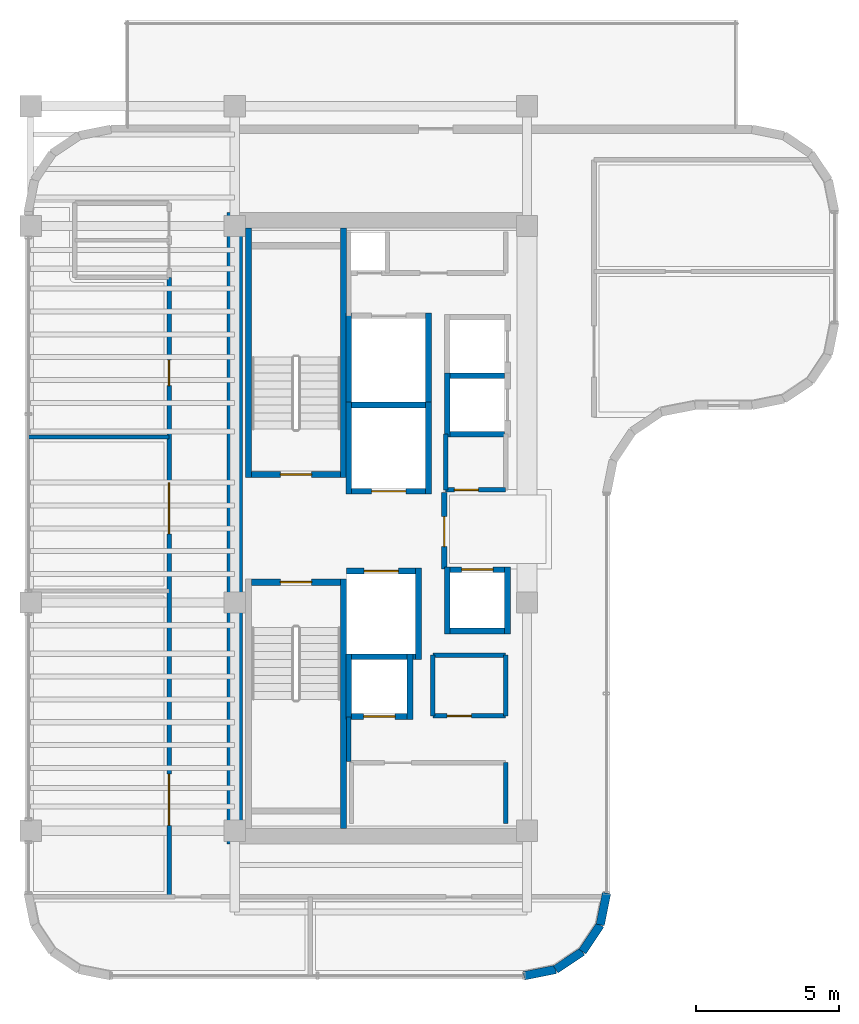
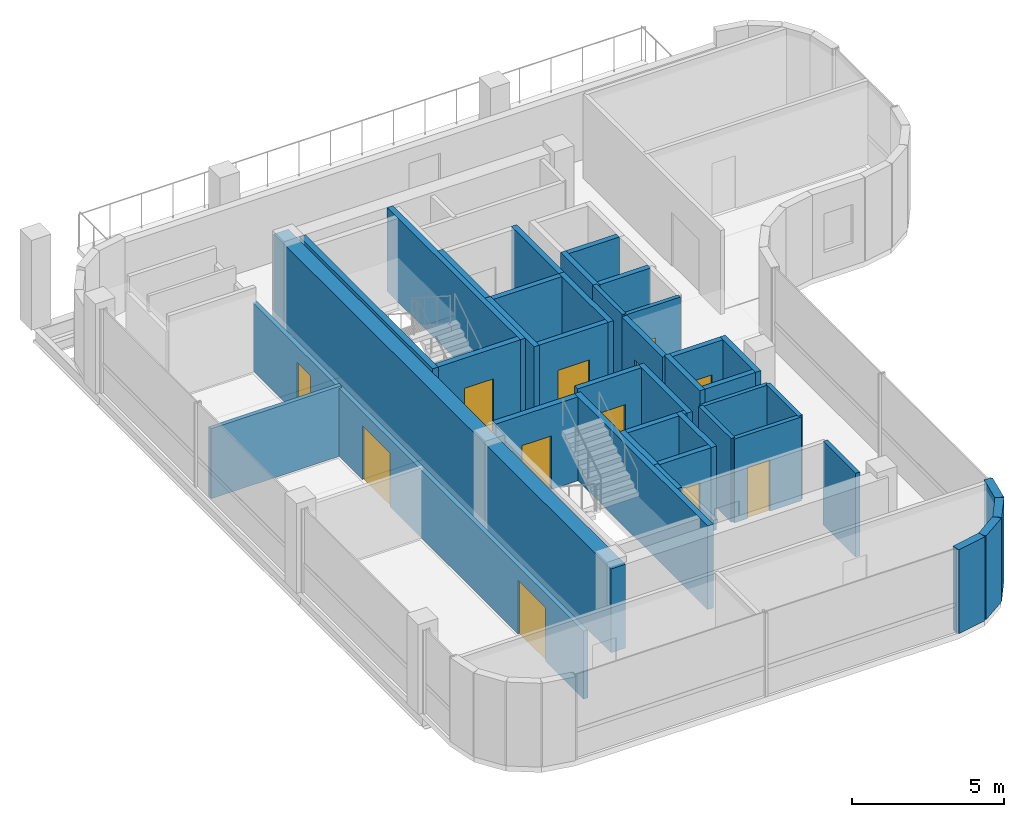
# One storey, part 9 of 13: 40 walls, 12 doors, 12 openings.
"""IFC4 building model written with IfcOpenShell, lengths in metres."""

from ifc_helpers import new_model, si_unit, direction, frame, frame_2d, origin, place, context, subcontext, project, spatial, rectangle, extrude, material, layer, layer_set, type_object, element, fill, save


model = new_model("IFC4")

# Units and contexts
model_context = context("Model", 3, precision=1e-05, world=origin(), true_north=direction((0.0, 1.0)))
body_context = subcontext(model_context, "Body", "Model", "MODEL_VIEW")
ifc_project = project(units=[si_unit("LENGTHUNIT", "METRE"), si_unit("AREAUNIT", "SQUARE_METRE"), si_unit("VOLUMEUNIT", "CUBIC_METRE"), si_unit("PLANEANGLEUNIT", "RADIAN"), si_unit("MASSUNIT", "GRAM", prefix="KILO")], contexts=[model_context])

# Site, building, storey
site_placement = place(None, origin())
site = spatial("IfcSite", under=ifc_project, at=site_placement, CompositionType="ELEMENT")
building_placement = place(site_placement, origin())
building = spatial("IfcBuilding", under=site, at=building_placement, Name="Valdorenza Pilgrim Sanctuary Tower", CompositionType="ELEMENT")
storey_placement = place(building_placement, frame((0.0, 0.0, 290.60009765625)))
storey = spatial("IfcBuildingStorey", under=building, at=storey_placement, Name="L76", CompositionType="ELEMENT", Elevation=290.60009765625)

# Walls
ifc_material_1 = material(Name="Acoustic twin-stud gypsum partition", Category="gypsum")
ifc_layer_1 = layer(ifc_material_1, 0.159912109375, Name="Acoustic twin-stud gypsum partition")
ifc_layer_set_1 = layer_set([ifc_layer_1], Name="Acoustic twin-stud gypsum partition")
wall_type_1 = type_object("IfcWallType", Name="WAL-COR-160", PredefinedType="PARTITIONING", material=ifc_layer_set_1)
wall_1_placement = place(storey_placement, frame((-18.64990234375, -8.179931640625, 0.0), z_axis=(0.0, 0.0, 1.0), x_axis=(0.0, 1.0, 0.0)))
element("IfcWall", 1, at=wall_1_placement, inside=storey, type_object=wall_type_1, Name="L76 Core A South Lift Hall West Wall", PredefinedType="PARTITIONING", context=body_context, shape_type="SweptSolid", body=[
    extrude(rectangle(XDim=1.559814453125, YDim=0.159912109375, at=frame_2d((0.77978515625, 0.0))), origin(), (0.0, 0.0, 1.0), 3.35986328125),
])
wall_2_placement = place(storey_placement, frame((-13.14990234375, -10.35009765625, 0.0), z_axis=(0.0, 0.0, 1.0), x_axis=(0.0, 1.0, 0.0)))
element("IfcWall", 2, at=wall_2_placement, inside=storey, type_object=wall_type_1, Name="L76 Freed Shaft 1 East Wall", PredefinedType="PARTITIONING", context=body_context, shape_type="SweptSolid", body=[
    extrude(rectangle(XDim=2.130126953125, YDim=0.159912109375, at=frame_2d((1.06494140625, 0.0))), origin(), (0.0, 0.0, 1.0), 3.35986328125),
])

# Wall, opening, door
wall_3_placement = place(storey_placement, frame((-15.699951171875, -6.580078125, 0.0), z_axis=(0.0, 0.0, 1.0), x_axis=(1.0, 0.0, 0.0)))
wall_3 = element("IfcWall", 3, at=wall_3_placement, inside=storey, type_object=wall_type_1, Name="L76 Freed Shaft 2 South Wall", PredefinedType="PARTITIONING", context=body_context, shape_type="SweptSolid", body=[
    extrude(rectangle(XDim=2.550048828125, YDim=0.159912109375, at=frame_2d((1.27490234375, 0.0))), origin(), (0.0, 0.0, 1.0), 3.35986328125),
])
opening_1_placement = place(wall_3_placement, frame((0.5, 0.0, 0.0)))
opening_1 = element("IfcOpeningElement", 4, at=opening_1_placement, cuts=wall_3, Name="Opening DR-RS1", PredefinedType="OPENING", context=body_context, shape_type="SweptSolid", body=[
    extrude(rectangle(XDim=0.85009765625, YDim=2.050048828125, at=frame_2d((0.425048828125, 1.02490234375))), frame((0.0, 0.0947265625, 0.0), z_axis=(0.0, -1.0, 0.0), x_axis=(1.0, 0.0, 0.0)), (0.0, 0.0, 1.0), 0.189697265625),
])
ifc_material_2 = material(Name="Painted galvanized steel", Category="steel")
door_type_1 = type_object("IfcDoorType", Name="DR-RSR-850", OperationType="NOTDEFINED", PredefinedType="DOOR", material=ifc_material_2)
door_1_placement = place(opening_1_placement, origin())
door_1 = element("IfcDoor", 5, at=door_1_placement, inside=storey, type_object=door_type_1, Name="L76 Guest Tea Pantry Door", OperationType="SINGLE_SWING_RIGHT", OverallHeight=2.050048828125, OverallWidth=0.85009765625, PredefinedType="DOOR", context=body_context, shape_type="SweptSolid", body=[
    extrude(rectangle(XDim=0.85009765625, YDim=2.050048828125, at=frame_2d((0.425048828125, 1.02490234375))), frame((0.0, 0.02490234375, 0.0), z_axis=(0.0, -1.0, 0.0), x_axis=(1.0, 0.0, 0.0)), (0.0, 0.0, 1.0), 0.050048828125),
])
fill(opening_1, door_1)

# Wall
wall_4_placement = place(storey_placement, frame((-13.14990234375, -6.580078125, 0.0), z_axis=(0.0, 0.0, 1.0), x_axis=(0.0, 1.0, 0.0)))
element("IfcWall", 6, at=wall_4_placement, inside=storey, type_object=wall_type_1, Name="L76 Freed Shaft 2 East Wall", PredefinedType="PARTITIONING", context=body_context, shape_type="SweptSolid", body=[
    extrude(rectangle(XDim=2.130126953125, YDim=0.159912109375, at=frame_2d((1.06494140625, 0.0))), origin(), (0.0, 0.0, 1.0), 3.35986328125),
])

# Wall, openings, doors
wall_5_placement = place(storey_placement, frame((-24.949951171875, -12.919921875, 0.0), z_axis=(0.0, 0.0, 1.0), x_axis=(0.0, 1.0, 0.0)))
wall_5 = element("IfcWall", 7, at=wall_5_placement, inside=storey, type_object=wall_type_1, Name="L76 Sky West Concourse Wall", PredefinedType="PARTITIONING", context=body_context, shape_type="SweptSolid", body=[
    extrude(rectangle(XDim=21.719970703125, YDim=0.159912109375, at=frame_2d((10.85986328125, 0.0))), origin(), (0.0, 0.0, 1.0), 2.722900390625),
])
opening_2_placement = place(wall_5_placement, frame((2.5, 0.0, 0.0)))
opening_2 = element("IfcOpeningElement", 8, at=opening_2_placement, cuts=wall_5, Name="Opening DR-HL1", PredefinedType="OPENING", context=body_context, shape_type="SweptSolid", body=[
    extrude(rectangle(XDim=1.800048828125, YDim=2.14990234375, at=frame_2d((0.89990234375, 1.074951171875))), frame((0.0, 0.0947265625, 0.0), z_axis=(0.0, -1.0, 0.0), x_axis=(1.0, 0.0, 0.0)), (0.0, 0.0, 1.0), 0.189697265625),
])
opening_3_placement = place(wall_5_placement, frame((12.719970703125, 0.0, 0.0)))
opening_3 = element("IfcOpeningElement", 9, at=opening_3_placement, cuts=wall_5, Name="Opening DR-HL1", PredefinedType="OPENING", context=body_context, shape_type="SweptSolid", body=[
    extrude(rectangle(XDim=1.800048828125, YDim=2.14990234375, at=frame_2d((0.89990234375, 1.074951171875))), frame((0.0, 0.0947265625, 0.0), z_axis=(0.0, -1.0, 0.0), x_axis=(1.0, 0.0, 0.0)), (0.0, 0.0, 1.0), 0.189697265625),
])
opening_4_placement = place(wall_5_placement, frame((17.919921875, 0.0, 0.0)))
opening_4 = element("IfcOpeningElement", 10, at=opening_4_placement, cuts=wall_5, Name="Opening DR-RM1", PredefinedType="OPENING", context=body_context, shape_type="SweptSolid", body=[
    extrude(rectangle(XDim=0.89990234375, YDim=2.10009765625, at=frame_2d((0.449951171875, 1.050048828125))), frame((0.0, 0.0947265625, 0.0), z_axis=(0.0, -1.0, 0.0), x_axis=(1.0, 0.0, 0.0)), (0.0, 0.0, 1.0), 0.189697265625),
])
ifc_material_3 = material(Name="Acoustic oak and vision-glass double door", Category="glass")
door_type_2 = type_object("IfcDoorType", Name="DR-HALL-1800", OperationType="NOTDEFINED", PredefinedType="DOOR", material=ifc_material_3)
door_2_placement = place(opening_2_placement, origin())
door_2 = element("IfcDoor", 11, at=door_2_placement, inside=storey, type_object=door_type_2, Name="L76 Sky Lounge South Door", OperationType="DOUBLE_DOOR_SINGLE_SWING", OverallHeight=2.14990234375, OverallWidth=1.800048828125, PredefinedType="DOOR", context=body_context, shape_type="SweptSolid", body=[
    extrude(rectangle(XDim=1.800048828125, YDim=2.14990234375, at=frame_2d((0.89990234375, 1.074951171875))), frame((0.0, 0.02490234375, 0.0), z_axis=(0.0, -1.0, 0.0), x_axis=(1.0, 0.0, 0.0)), (0.0, 0.0, 1.0), 0.050048828125),
])
fill(opening_2, door_2)
door_3_placement = place(opening_3_placement, frame((1.800048828125, 0.0, 0.0), z_axis=(0.0, 0.0, 1.0), x_axis=(-1.0, 0.0, 0.0)))
door_3 = element("IfcDoor", 12, at=door_3_placement, inside=storey, type_object=door_type_2, Name="L76 Sky Mid Room Door", OperationType="DOUBLE_DOOR_SINGLE_SWING", OverallHeight=2.14990234375, OverallWidth=1.800048828125, PredefinedType="DOOR", context=body_context, shape_type="SweptSolid", body=[
    extrude(rectangle(XDim=1.800048828125, YDim=2.14990234375, at=frame_2d((0.89990234375, 1.074951171875))), frame((0.0, 0.02490234375, 0.0), z_axis=(0.0, -1.0, 0.0), x_axis=(1.0, 0.0, 0.0)), (0.0, 0.0, 1.0), 0.050048828125),
])
fill(opening_3, door_3)
ifc_material_4 = material(Name="Solid-core European oak timber", Category="wood")
door_type_3 = type_object("IfcDoorType", Name="DR-ROOM-900", OperationType="NOTDEFINED", PredefinedType="DOOR", material=ifc_material_4)
door_4_placement = place(opening_4_placement, origin())
door_4 = element("IfcDoor", 13, at=door_4_placement, inside=storey, type_object=door_type_3, Name="L76 Sky Office Door", OperationType="SINGLE_SWING_RIGHT", OverallHeight=2.10009765625, OverallWidth=0.89990234375, PredefinedType="DOOR", context=body_context, shape_type="SweptSolid", body=[
    extrude(rectangle(XDim=0.89990234375, YDim=2.10009765625, at=frame_2d((0.449951171875, 1.050048828125))), frame((0.0, 0.02490234375, 0.0), z_axis=(0.0, -1.0, 0.0), x_axis=(1.0, 0.0, 0.0)), (0.0, 0.0, 1.0), 0.050048828125),
])
fill(opening_4, door_4)

# Walls
ifc_material_5 = material(Name="Concrete C50/60", Category="concrete")
ifc_layer_2 = layer(ifc_material_5, 0.550048828125, Name="Concrete C50/60")
ifc_layer_set_2 = layer_set([ifc_layer_2], Name="Concrete C50/60")
wall_type_2 = type_object("IfcWallType", Name="WAL-COR-550", PredefinedType="SHEAR", material=ifc_layer_set_2)
wall_6_placement = place(storey_placement, frame((-22.64990234375, -11.074951171875, 0.0), z_axis=(0.0, 0.0, 1.0), x_axis=(0.0, 1.0, 0.0)))
element("IfcWall", 14, at=wall_6_placement, inside=storey, type_object=wall_type_2, Name="L76 Split Core A Shear Wall W", PredefinedType="SHEAR", context=body_context, shape_type="SweptSolid", body=[
    extrude(rectangle(XDim=22.14990234375, YDim=0.550048828125, at=frame_2d((11.074951171875, 0.0))), origin(), (0.0, 0.0, 1.0), 3.35986328125),
])
ifc_material_6 = material(Name="Honed travertine limestone", Category="masonry")
ifc_layer_3 = layer(ifc_material_6, 0.300048828125, Name="Honed travertine limestone")
ifc_layer_set_3 = layer_set([ifc_layer_3], Name="Honed travertine limestone")
wall_type_3 = type_object("IfcWallType", Name="WAL-EXT-300", PredefinedType="SOLIDWALL", material=ifc_layer_set_3)
wall_7_placement = place(storey_placement, frame((-9.610107421875, -12.789306640625, 0.0), z_axis=(0.0, 0.0, 1.0), x_axis=(-0.195043173023, -0.980794657743, 0.0)))
element("IfcWall", 15, at=wall_7_placement, inside=storey, type_object=wall_type_3, Name="L76 Rounded Wind-Corner Stone Pier 22", PredefinedType="SOLIDWALL", context=body_context, shape_type="SweptSolid", body=[
    extrude(rectangle(XDim=1.137939453125, YDim=0.300048828125, at=frame_2d((0.56884765625, 0.0))), origin(), (0.0, 0.0, 1.0), 3.35986328125),
])
for number, where, z_axis, x_axis, name in (
    (16, (-9.83203125, -13.9052734375, 0.0), (0.0, 0.0, 1.0), (-0.555599979619, -0.831449735491, 0.0), "L76 Rounded Wind-Corner Stone Pier 23"),
    (17, (-10.4580078125, -14.842041015625, 0.0), (0.0, 0.0, 1.0), (-0.831449735491, -0.555599979619, 0.0), "L76 Rounded Wind-Corner Stone Pier 24"),
):
    element("IfcWall", number, at=place(storey_placement, frame(where, z_axis=z_axis, x_axis=x_axis)), inside=storey, type_object=wall_type_3, Name=name, PredefinedType="SOLIDWALL", context=body_context, shape_type="SweptSolid", body=[
        extrude(rectangle(XDim=1.126708984375, YDim=0.300048828125, at=frame_2d((0.5634765625, 0.0))), origin(), (0.0, 0.0, 1.0), 3.35986328125),
    ])
wall_8_placement = place(storey_placement, frame((-11.394775390625, -15.468017578125, 0.0), z_axis=(0.0, 0.0, 1.0), x_axis=(-0.980794657743, -0.195043173023, 0.0)))
element("IfcWall", 18, at=wall_8_placement, inside=storey, type_object=wall_type_3, Name="L76 Rounded Wind-Corner Stone Pier 25", PredefinedType="SOLIDWALL", context=body_context, shape_type="SweptSolid", body=[
    extrude(rectangle(XDim=1.137939453125, YDim=0.300048828125, at=frame_2d((0.56884765625, 0.0))), origin(), (0.0, 0.0, 1.0), 3.35986328125),
])

# Wall, opening, door
ifc_material_7 = material(Name="Gypsum shaftwall partition", Category="gypsum")
ifc_layer_4 = layer(ifc_material_7, 0.199951171875, Name="Gypsum shaftwall partition")
ifc_layer_set_4 = layer_set([ifc_layer_4], Name="Gypsum shaftwall partition")
wall_type_4 = type_object("IfcWallType", Name="WAL-FFL-200", PredefinedType="PARTITIONING", material=ifc_layer_set_4)
wall_9_placement = place(storey_placement, frame((-15.300048828125, -1.419921875, 0.0), z_axis=(0.0, 0.0, 1.0), x_axis=(0.0, 1.0, 0.0)))
wall_9 = element("IfcWall", 19, at=wall_9_placement, inside=storey, type_object=wall_type_4, Name="L76 Core A Firefighting Lobby East Wall", PredefinedType="PARTITIONING", context=body_context, shape_type="SweptSolid", body=[
    extrude(rectangle(XDim=2.669921875, YDim=0.199951171875, at=frame_2d((1.3349609375, 0.0))), origin(), (0.0, 0.0, 1.0), 3.35986328125),
])
opening_5_placement = place(wall_9_placement, frame((0.780029296875, 0.0, 0.0)))
opening_5 = element("IfcOpeningElement", 20, at=opening_5_placement, cuts=wall_9, Name="Opening DR-FL1", PredefinedType="OPENING", context=body_context, shape_type="SweptSolid", body=[
    extrude(rectangle(XDim=1.050048828125, YDim=2.14990234375, at=frame_2d((0.52490234375, 1.074951171875))), frame((0.0, 0.11474609375, 0.0), z_axis=(0.0, -1.0, 0.0), x_axis=(1.0, 0.0, 0.0)), (0.0, 0.0, 1.0), 0.229736328125),
])
door_type_4 = type_object("IfcDoorType", Name="DR-FFL-1050", OperationType="NOTDEFINED", PredefinedType="DOOR", material=ifc_material_2)
door_5_placement = place(opening_5_placement, origin())
door_5 = element("IfcDoor", 21, at=door_5_placement, inside=storey, type_object=door_type_4, Name="L76 Core A Firefighting Lobby Door", OperationType="SINGLE_SWING_RIGHT", OverallHeight=2.14990234375, OverallWidth=1.050048828125, PredefinedType="DOOR", context=body_context, shape_type="SweptSolid", body=[
    extrude(rectangle(XDim=1.050048828125, YDim=2.14990234375, at=frame_2d((0.52490234375, 1.074951171875))), frame((0.0, 0.02490234375, 0.0), z_axis=(0.0, -1.0, 0.0), x_axis=(1.0, 0.0, 0.0)), (0.0, 0.0, 1.0), 0.050048828125),
])
fill(opening_5, door_5)

# Walls
ifc_material_8 = material(Name="Autoclaved aerated concrete blockwork", Category="masonry")
ifc_layer_5 = layer(ifc_material_8, 0.199951171875, Name="Autoclaved aerated concrete blockwork")
ifc_layer_set_5 = layer_set([ifc_layer_5], Name="Autoclaved aerated concrete blockwork")
wall_type_5 = type_object("IfcWallType", Name="WAL-SHF-200", PredefinedType="MOVABLE", material=ifc_layer_set_5)
for number, where, z_axis, x_axis, name in (
    (22, (-18.64990234375, 1.199951171875, 0.0), (0.0, 0.0, 1.0), (0.0, 1.0, 0.0), "L76 Lift FFL-01 Hoistway Wall West"),
    (23, (-15.85009765625, 1.199951171875, 0.0), (0.0, 0.0, 1.0), (0.0, 1.0, 0.0), "L76 Lift FFL-01 Hoistway Wall East"),
):
    element("IfcWall", number, at=place(storey_placement, frame(where, z_axis=z_axis, x_axis=x_axis)), inside=storey, type_object=wall_type_5, Name=name, PredefinedType="MOVABLE", context=body_context, shape_type="SweptSolid", body=[
        extrude(rectangle(XDim=3.22509765625, YDim=0.199951171875, at=frame_2d((1.612548828125, 0.0))), origin(), (0.0, 0.0, 1.0), 3.35986328125),
    ])

# Wall, opening, door
wall_10_placement = place(storey_placement, frame((-18.550048828125, 1.300048828125, 0.0), z_axis=(0.0, 0.0, 1.0), x_axis=(1.0, 0.0, 0.0)))
wall_10 = element("IfcWall", 24, at=wall_10_placement, inside=storey, type_object=wall_type_5, Name="L76 Lift FFL-01 Hoistway Wall South", PredefinedType="MOVABLE", context=body_context, shape_type="SweptSolid", body=[
    extrude(rectangle(XDim=2.60009765625, YDim=0.199951171875, at=frame_2d((1.300048828125, 0.0))), origin(), (0.0, 0.0, 1.0), 3.35986328125),
])
opening_6_placement = place(wall_10_placement, frame((0.699951171875, 0.0, 0.0)))
opening_6 = element("IfcOpeningElement", 25, at=opening_6_placement, cuts=wall_10, Name="Opening LD-02", PredefinedType="OPENING", context=body_context, shape_type="SweptSolid", body=[
    extrude(rectangle(XDim=1.199951171875, YDim=2.10009765625, at=frame_2d((0.60009765625, 1.050048828125))), frame((0.0, 0.11474609375, 0.0), z_axis=(0.0, -1.0, 0.0), x_axis=(1.0, 0.0, 0.0)), (0.0, 0.0, 1.0), 0.229736328125),
])
ifc_material_9 = material(Name="Brushed stainless steel Grade 316", Category="steel")
door_type_5 = type_object("IfcDoorType", Name="DR-LFT-1200", OperationType="DOUBLE_DOOR_SLIDING", PredefinedType="DOOR", material=ifc_material_9)
door_6_placement = place(opening_6_placement, origin())
door_6 = element("IfcDoor", 26, at=door_6_placement, inside=storey, type_object=door_type_5, Name="L76 Lift FFL-01 Sliding Landing Door", OperationType="DOUBLE_DOOR_SLIDING", OverallHeight=2.10009765625, OverallWidth=1.199951171875, PredefinedType="DOOR", context=body_context, shape_type="SweptSolid", body=[
    extrude(rectangle(XDim=1.199951171875, YDim=2.10009765625, at=frame_2d((0.60009765625, 1.050048828125))), frame((0.0, 0.02490234375, 0.0), z_axis=(0.0, -1.0, 0.0), x_axis=(1.0, 0.0, 0.0)), (0.0, 0.0, 1.0), 0.050048828125),
])
fill(opening_6, door_6)

# Walls
wall_11_placement = place(storey_placement, frame((-18.550048828125, 4.324951171875, 0.0), z_axis=(0.0, 0.0, 1.0), x_axis=(1.0, 0.0, 0.0)))
element("IfcWall", 27, at=wall_11_placement, inside=storey, type_object=wall_type_5, Name="L76 Lift FFL-01 Hoistway Wall North", PredefinedType="MOVABLE", context=body_context, shape_type="SweptSolid", body=[
    extrude(rectangle(XDim=2.60009765625, YDim=0.199951171875, at=frame_2d((1.300048828125, 0.0))), origin(), (0.0, 0.0, 1.0), 3.35986328125),
])
wall_12_placement = place(storey_placement, frame((-16.199951171875, -4.60009765625, 0.0), z_axis=(0.0, 0.0, 1.0), x_axis=(0.0, 1.0, 0.0)))
element("IfcWall", 28, at=wall_12_placement, inside=storey, type_object=wall_type_5, Name="L76 Lift FFL-02 Hoistway Wall East", PredefinedType="MOVABLE", context=body_context, shape_type="SweptSolid", body=[
    extrude(rectangle(XDim=3.2001953125, YDim=0.199951171875, at=frame_2d((1.60009765625, 0.0))), origin(), (0.0, 0.0, 1.0), 3.35986328125),
])
wall_13_placement = place(storey_placement, frame((-18.719970703125, -4.5, 0.0), z_axis=(0.0, 0.0, 1.0), x_axis=(1.0, 0.0, 0.0)))
element("IfcWall", 29, at=wall_13_placement, inside=storey, type_object=wall_type_5, Name="L76 Lift FFL-02 Hoistway Wall South", PredefinedType="MOVABLE", context=body_context, shape_type="SweptSolid", body=[
    extrude(rectangle(XDim=2.419921875, YDim=0.199951171875, at=frame_2d((1.2099609375, 0.0))), origin(), (0.0, 0.0, 1.0), 3.35986328125),
])

# Wall, opening, door
wall_14_placement = place(storey_placement, frame((-18.719970703125, -1.5, 0.0), z_axis=(0.0, 0.0, 1.0), x_axis=(1.0, 0.0, 0.0)))
wall_14 = element("IfcWall", 30, at=wall_14_placement, inside=storey, type_object=wall_type_5, Name="L76 Lift FFL-02 Hoistway Wall North", PredefinedType="MOVABLE", context=body_context, shape_type="SweptSolid", body=[
    extrude(rectangle(XDim=2.419921875, YDim=0.199951171875, at=frame_2d((1.2099609375, 0.0))), origin(), (0.0, 0.0, 1.0), 3.35986328125),
])
opening_7_placement = place(wall_14_placement, frame((0.610107421875, 0.0, 0.0)))
opening_7 = element("IfcOpeningElement", 31, at=opening_7_placement, cuts=wall_14, Name="Opening LD-02", PredefinedType="OPENING", context=body_context, shape_type="SweptSolid", body=[
    extrude(rectangle(XDim=1.199951171875, YDim=2.10009765625, at=frame_2d((0.60009765625, 1.050048828125))), frame((0.0, 0.11474609375, 0.0), z_axis=(0.0, -1.0, 0.0), x_axis=(1.0, 0.0, 0.0)), (0.0, 0.0, 1.0), 0.229736328125),
])
door_7_placement = place(opening_7_placement, origin())
door_7 = element("IfcDoor", 32, at=door_7_placement, inside=storey, type_object=door_type_5, Name="L76 Lift FFL-02 Sliding Landing Door", OperationType="DOUBLE_DOOR_SLIDING", OverallHeight=2.10009765625, OverallWidth=1.199951171875, PredefinedType="DOOR", context=body_context, shape_type="SweptSolid", body=[
    extrude(rectangle(XDim=1.199951171875, YDim=2.10009765625, at=frame_2d((0.60009765625, 1.050048828125))), frame((0.0, 0.02490234375, 0.0), z_axis=(0.0, -1.0, 0.0), x_axis=(1.0, 0.0, 0.0)), (0.0, 0.0, 1.0), 0.050048828125),
])
fill(opening_7, door_7)

# Walls
for number, where, z_axis, x_axis, name in (
    (33, (-18.64990234375, 4.22509765625, 0.0), (0.0, 0.0, 1.0), (0.0, 1.0, 0.0), "L76 Lift SVL-01 Hoistway Wall West"),
    (34, (-15.85009765625, 4.22509765625, 0.0), (0.0, 0.0, 1.0), (0.0, 1.0, 0.0), "L76 Lift SVL-01 Hoistway Wall East"),
):
    element("IfcWall", number, at=place(storey_placement, frame(where, z_axis=z_axis, x_axis=x_axis)), inside=storey, type_object=wall_type_5, Name=name, PredefinedType="MOVABLE", context=body_context, shape_type="SweptSolid", body=[
        extrude(rectangle(XDim=3.324951171875, YDim=0.199951171875, at=frame_2d((1.66259765625, 0.0))), origin(), (0.0, 0.0, 1.0), 3.35986328125),
    ])
wall_15_placement = place(storey_placement, frame((-15.199951171875, 3.199951171875, 0.0), z_axis=(0.0, 0.0, 1.0), x_axis=(0.0, 1.0, 0.0)))
element("IfcWall", 35, at=wall_15_placement, inside=storey, type_object=wall_type_5, Name="L76 Lift PL-09 Hoistway Wall West", PredefinedType="MOVABLE", context=body_context, shape_type="SweptSolid", body=[
    extrude(rectangle(XDim=2.25, YDim=0.199951171875, at=frame_2d((1.125, 0.0))), origin(), (0.0, 0.0, 1.0), 3.35986328125),
])
for number, where, z_axis, x_axis, name in (
    (36, (-15.10009765625, 3.300048828125, 0.0), (0.0, 0.0, 1.0), (1.0, 0.0, 0.0), "L76 Lift PL-09 Hoistway Wall South"),
    (37, (-15.10009765625, 5.35009765625, 0.0), (0.0, 0.0, 1.0), (1.0, 0.0, 0.0), "L76 Lift PL-09 Hoistway Wall North"),
):
    element("IfcWall", number, at=place(storey_placement, frame(where, z_axis=z_axis, x_axis=x_axis)), inside=storey, type_object=wall_type_5, Name=name, PredefinedType="MOVABLE", context=body_context, shape_type="SweptSolid", body=[
        extrude(rectangle(XDim=1.920166015625, YDim=0.199951171875, at=frame_2d((0.9599609375, 0.0))), origin(), (0.0, 0.0, 1.0), 3.35986328125),
    ])
for number, where, z_axis, x_axis, name in (
    (38, (-18.64990234375, -6.699951171875, 0.0), (0.0, 0.0, 1.0), (0.0, 1.0, 0.0), "L76 Lift PL-11 Hoistway Wall West"),
    (39, (-16.5, -6.699951171875, 0.0), (0.0, 0.0, 1.0), (0.0, 1.0, 0.0), "L76 Lift PL-11 Hoistway Wall East"),
):
    element("IfcWall", number, at=place(storey_placement, frame(where, z_axis=z_axis, x_axis=x_axis)), inside=storey, type_object=wall_type_5, Name=name, PredefinedType="MOVABLE", context=body_context, shape_type="SweptSolid", body=[
        extrude(rectangle(XDim=2.300048828125, YDim=0.199951171875, at=frame_2d((1.14990234375, 0.0))), origin(), (0.0, 0.0, 1.0), 3.35986328125),
    ])

# Wall, opening, door
wall_16_placement = place(storey_placement, frame((-18.550048828125, -6.60009765625, 0.0), z_axis=(0.0, 0.0, 1.0), x_axis=(1.0, 0.0, 0.0)))
wall_16 = element("IfcWall", 40, at=wall_16_placement, inside=storey, type_object=wall_type_5, Name="L76 Lift PL-11 Hoistway Wall South", PredefinedType="MOVABLE", context=body_context, shape_type="SweptSolid", body=[
    extrude(rectangle(XDim=1.949951171875, YDim=0.199951171875, at=frame_2d((0.97509765625, 0.0))), origin(), (0.0, 0.0, 1.0), 3.35986328125),
])
opening_8_placement = place(wall_16_placement, frame((0.425048828125, 0.0, 0.0)))
opening_8 = element("IfcOpeningElement", 41, at=opening_8_placement, cuts=wall_16, Name="Opening LD-01", PredefinedType="OPENING", context=body_context, shape_type="SweptSolid", body=[
    extrude(rectangle(XDim=1.10009765625, YDim=2.10009765625, at=frame_2d((0.550048828125, 1.050048828125))), frame((0.0, 0.11474609375, 0.0), z_axis=(0.0, -1.0, 0.0), x_axis=(1.0, 0.0, 0.0)), (0.0, 0.0, 1.0), 0.229736328125),
])
door_type_6 = type_object("IfcDoorType", Name="DR-LFT-1100", OperationType="DOUBLE_DOOR_SLIDING", PredefinedType="DOOR", material=ifc_material_9)
door_8_placement = place(opening_8_placement, origin())
door_8 = element("IfcDoor", 42, at=door_8_placement, inside=storey, type_object=door_type_6, Name="L76 Lift PL-11 Sliding Landing Door", OperationType="DOUBLE_DOOR_SLIDING", OverallHeight=2.10009765625, OverallWidth=1.10009765625, PredefinedType="DOOR", context=body_context, shape_type="SweptSolid", body=[
    extrude(rectangle(XDim=1.10009765625, YDim=2.10009765625, at=frame_2d((0.550048828125, 1.050048828125))), frame((0.0, 0.02490234375, 0.0), z_axis=(0.0, -1.0, 0.0), x_axis=(1.0, 0.0, 0.0)), (0.0, 0.0, 1.0), 0.050048828125),
])
fill(opening_8, door_8)

# Walls
for number, where, z_axis, x_axis, name in (
    (43, (-15.199951171875, -3.699951171875, 0.0), (0.0, 0.0, 1.0), (0.0, 1.0, 0.0), "L76 Lift PL-12 Hoistway Wall West"),
    (44, (-13.080078125, -3.699951171875, 0.0), (0.0, 0.0, 1.0), (0.0, 1.0, 0.0), "L76 Lift PL-12 Hoistway Wall East"),
):
    element("IfcWall", number, at=place(storey_placement, frame(where, z_axis=z_axis, x_axis=x_axis)), inside=storey, type_object=wall_type_5, Name=name, PredefinedType="MOVABLE", context=body_context, shape_type="SweptSolid", body=[
        extrude(rectangle(XDim=2.349853515625, YDim=0.199951171875, at=frame_2d((1.1748046875, 0.0))), origin(), (0.0, 0.0, 1.0), 3.35986328125),
    ])
wall_17_placement = place(storey_placement, frame((-15.10009765625, -3.60009765625, 0.0), z_axis=(0.0, 0.0, 1.0), x_axis=(1.0, 0.0, 0.0)))
element("IfcWall", 45, at=wall_17_placement, inside=storey, type_object=wall_type_5, Name="L76 Lift PL-12 Hoistway Wall South", PredefinedType="MOVABLE", context=body_context, shape_type="SweptSolid", body=[
    extrude(rectangle(XDim=1.920166015625, YDim=0.199951171875, at=frame_2d((0.9599609375, 0.0))), origin(), (0.0, 0.0, 1.0), 3.35986328125),
])

# Wall, opening, door
wall_18_placement = place(storey_placement, frame((-15.10009765625, -1.449951171875, 0.0), z_axis=(0.0, 0.0, 1.0), x_axis=(1.0, 0.0, 0.0)))
wall_18 = element("IfcWall", 46, at=wall_18_placement, inside=storey, type_object=wall_type_5, Name="L76 Lift PL-12 Hoistway Wall North", PredefinedType="MOVABLE", context=body_context, shape_type="SweptSolid", body=[
    extrude(rectangle(XDim=1.920166015625, YDim=0.199951171875, at=frame_2d((0.9599609375, 0.0))), origin(), (0.0, 0.0, 1.0), 3.35986328125),
])
opening_9_placement = place(wall_18_placement, frame((0.409912109375, 0.0, 0.0)))
opening_9 = element("IfcOpeningElement", 47, at=opening_9_placement, cuts=wall_18, Name="Opening LD-01", PredefinedType="OPENING", context=body_context, shape_type="SweptSolid", body=[
    extrude(rectangle(XDim=1.10009765625, YDim=2.10009765625, at=frame_2d((0.550048828125, 1.050048828125))), frame((0.0, 0.11474609375, 0.0), z_axis=(0.0, -1.0, 0.0), x_axis=(1.0, 0.0, 0.0)), (0.0, 0.0, 1.0), 0.229736328125),
])
door_9_placement = place(opening_9_placement, origin())
door_9 = element("IfcDoor", 48, at=door_9_placement, inside=storey, type_object=door_type_6, Name="L76 Lift PL-12 Sliding Landing Door", OperationType="DOUBLE_DOOR_SLIDING", OverallHeight=2.10009765625, OverallWidth=1.10009765625, PredefinedType="DOOR", context=body_context, shape_type="SweptSolid", body=[
    extrude(rectangle(XDim=1.10009765625, YDim=2.10009765625, at=frame_2d((0.550048828125, 1.050048828125))), frame((0.0, 0.02490234375, 0.0), z_axis=(0.0, -1.0, 0.0), x_axis=(1.0, 0.0, 0.0)), (0.0, 0.0, 1.0), 0.050048828125),
])
fill(opening_9, door_9)

# Walls
ifc_material_10 = material(Name="Concrete C40/50", Category="concrete")
ifc_layer_6 = layer(ifc_material_10, 0.219970703125, Name="Concrete C40/50")
ifc_layer_set_6 = layer_set([ifc_layer_6], Name="Concrete C40/50")
wall_type_6 = type_object("IfcWallType", Name="WAL-STR-SHF-220", PredefinedType="SHEAR", material=ifc_layer_set_6)
for number, where, z_axis, x_axis, name in (
    (49, (-22.159912109375, 1.780029296875, 0.0), (0.0, 0.0, 1.0), (0.0, 1.0, 0.0), "L76 ST-A1 Structural Stairwell Wall W"),
    (50, (-18.830078125, 1.780029296875, 0.0), (0.0, 0.0, 1.0), (0.0, 1.0, 0.0), "L76 ST-A1 Structural Stairwell Wall E"),
):
    element("IfcWall", number, at=place(storey_placement, frame(where, z_axis=z_axis, x_axis=x_axis)), inside=storey, type_object=wall_type_6, Name=name, PredefinedType="SHEAR", context=body_context, shape_type="SweptSolid", body=[
        extrude(rectangle(XDim=8.744873046875, YDim=0.219970703125, at=frame_2d((4.37255859375, 0.0))), origin(), (0.0, 0.0, 1.0), 3.35986328125),
    ])

# Wall, opening, door
wall_19_placement = place(storey_placement, frame((-22.050048828125, 1.889892578125, 0.0), z_axis=(0.0, 0.0, 1.0), x_axis=(1.0, 0.0, 0.0)))
wall_19 = element("IfcWall", 51, at=wall_19_placement, inside=storey, type_object=wall_type_6, Name="L76 ST-A1 Structural Stairwell Wall S", PredefinedType="SHEAR", context=body_context, shape_type="SweptSolid", body=[
    extrude(rectangle(XDim=3.110107421875, YDim=0.219970703125, at=frame_2d((1.55517578125, 0.0))), origin(), (0.0, 0.0, 1.0), 3.35986328125),
])
opening_10_placement = place(wall_19_placement, frame((1.0, 0.0, 0.0)))
opening_10 = element("IfcOpeningElement", 52, at=opening_10_placement, cuts=wall_19, Name="Opening DR-ST1", PredefinedType="OPENING", context=body_context, shape_type="SweptSolid", body=[
    extrude(rectangle(XDim=1.10009765625, YDim=2.14990234375, at=frame_2d((0.550048828125, 1.074951171875))), frame((0.0, 0.125, 0.0), z_axis=(0.0, -1.0, 0.0), x_axis=(1.0, 0.0, 0.0)), (0.0, 0.0, 1.0), 0.249755859375),
])
door_type_7 = type_object("IfcDoorType", Name="DR-STAIR-1100", OperationType="NOTDEFINED", PredefinedType="DOOR", material=ifc_material_2)
door_10_placement = place(opening_10_placement, frame((1.10009765625, 0.0, 0.0), z_axis=(0.0, 0.0, 1.0), x_axis=(-1.0, 0.0, 0.0)))
door_10 = element("IfcDoor", 53, at=door_10_placement, inside=storey, type_object=door_type_7, Name="L76 Exit Stair ST-A1 Door", OperationType="SINGLE_SWING_LEFT", OverallHeight=2.14990234375, OverallWidth=1.10009765625, PredefinedType="DOOR", context=body_context, shape_type="SweptSolid", body=[
    extrude(rectangle(XDim=1.10009765625, YDim=2.14990234375, at=frame_2d((0.550048828125, 1.074951171875))), frame((0.0, 0.02490234375, 0.0), z_axis=(0.0, -1.0, 0.0), x_axis=(1.0, 0.0, 0.0)), (0.0, 0.0, 1.0), 0.050048828125),
])
fill(opening_10, door_10)

# Wall
wall_20_placement = place(storey_placement, frame((-18.830078125, -10.52490234375, 0.0), z_axis=(0.0, 0.0, 1.0), x_axis=(0.0, 1.0, 0.0)))
element("IfcWall", 54, at=wall_20_placement, inside=storey, type_object=wall_type_6, Name="L76 ST-A2 Structural Stairwell Wall E", PredefinedType="SHEAR", context=body_context, shape_type="SweptSolid", body=[
    extrude(rectangle(XDim=8.744873046875, YDim=0.219970703125, at=frame_2d((4.37255859375, 0.0))), origin(), (0.0, 0.0, 1.0), 3.35986328125),
])

# Wall, opening, door
wall_21_placement = place(storey_placement, frame((-22.050048828125, -1.889892578125, 0.0), z_axis=(0.0, 0.0, 1.0), x_axis=(1.0, 0.0, 0.0)))
wall_21 = element("IfcWall", 55, at=wall_21_placement, inside=storey, type_object=wall_type_6, Name="L76 ST-A2 Structural Stairwell Wall N", PredefinedType="SHEAR", context=body_context, shape_type="SweptSolid", body=[
    extrude(rectangle(XDim=3.110107421875, YDim=0.219970703125, at=frame_2d((1.55517578125, 0.0))), origin(), (0.0, 0.0, 1.0), 3.35986328125),
])
opening_11_placement = place(wall_21_placement, frame((1.0, 0.0, 0.0)))
opening_11 = element("IfcOpeningElement", 56, at=opening_11_placement, cuts=wall_21, Name="Opening DR-ST1", PredefinedType="OPENING", context=body_context, shape_type="SweptSolid", body=[
    extrude(rectangle(XDim=1.10009765625, YDim=2.14990234375, at=frame_2d((0.550048828125, 1.074951171875))), frame((0.0, 0.125, 0.0), z_axis=(0.0, -1.0, 0.0), x_axis=(1.0, 0.0, 0.0)), (0.0, 0.0, 1.0), 0.249755859375),
])
door_11_placement = place(opening_11_placement, origin())
door_11 = element("IfcDoor", 57, at=door_11_placement, inside=storey, type_object=door_type_7, Name="L76 Exit Stair ST-A2 Door", OperationType="SINGLE_SWING_RIGHT", OverallHeight=2.14990234375, OverallWidth=1.10009765625, PredefinedType="DOOR", context=body_context, shape_type="SweptSolid", body=[
    extrude(rectangle(XDim=1.10009765625, YDim=2.14990234375, at=frame_2d((0.550048828125, 1.074951171875))), frame((0.0, 0.02490234375, 0.0), z_axis=(0.0, -1.0, 0.0), x_axis=(1.0, 0.0, 0.0)), (0.0, 0.0, 1.0), 0.050048828125),
])
fill(opening_11, door_11)

# Walls
ifc_layer_7 = layer(ifc_material_1, 0.14990234375, Name="Acoustic twin-stud gypsum partition")
ifc_layer_set_7 = layer_set([ifc_layer_7], Name="Acoustic twin-stud gypsum partition")
wall_type_7 = type_object("IfcWallType", Name="WAL-UNT-150", PredefinedType="PARTITIONING", material=ifc_layer_set_7)
wall_22_placement = place(storey_placement, frame((-15.699951171875, -6.580078125, 0.0), z_axis=(0.0, 0.0, 1.0), x_axis=(0.0, 1.0, 0.0)))
element("IfcWall", 58, at=wall_22_placement, inside=storey, type_object=wall_type_7, Name="L76 Freed Shaft 2 West Wall", PredefinedType="PARTITIONING", context=body_context, shape_type="SweptSolid", body=[
    extrude(rectangle(XDim=2.130126953125, YDim=0.14990234375, at=frame_2d((1.06494140625, 0.0))), origin(), (0.0, 0.0, 1.0), 3.35986328125),
])
wall_23_placement = place(storey_placement, frame((-15.699951171875, -4.449951171875, 0.0), z_axis=(0.0, 0.0, 1.0), x_axis=(1.0, 0.0, 0.0)))
element("IfcWall", 59, at=wall_23_placement, inside=storey, type_object=wall_type_7, Name="L76 Freed Shaft 2 North Wall", PredefinedType="PARTITIONING", context=body_context, shape_type="SweptSolid", body=[
    extrude(rectangle(XDim=2.550048828125, YDim=0.14990234375, at=frame_2d((1.27490234375, 0.0))), origin(), (0.0, 0.0, 1.0), 3.35986328125),
])
wall_24_placement = place(storey_placement, frame((-15.25, 1.35009765625, 0.0), z_axis=(0.0, 0.0, 1.0), x_axis=(0.0, 1.0, 0.0)))
element("IfcWall", 60, at=wall_24_placement, inside=storey, type_object=wall_type_7, Name="L76 Freed Shaft 6 West Wall", PredefinedType="PARTITIONING", context=body_context, shape_type="SweptSolid", body=[
    extrude(rectangle(XDim=1.949951171875, YDim=0.14990234375, at=frame_2d((0.97509765625, 0.0))), origin(), (0.0, 0.0, 1.0), 3.35986328125),
])

# Wall, opening, door
wall_25_placement = place(storey_placement, frame((-15.25, 1.35009765625, 0.0), z_axis=(0.0, 0.0, 1.0), x_axis=(1.0, 0.0, 0.0)))
wall_25 = element("IfcWall", 61, at=wall_25_placement, inside=storey, type_object=wall_type_7, Name="L76 Freed Shaft 6 South Wall", PredefinedType="PARTITIONING", context=body_context, shape_type="SweptSolid", body=[
    extrude(rectangle(XDim=2.10009765625, YDim=0.14990234375, at=frame_2d((1.050048828125, 0.0))), origin(), (0.0, 0.0, 1.0), 3.35986328125),
])
opening_12_placement = place(wall_25_placement, frame((0.300048828125, 0.0, 0.0)))
opening_12 = element("IfcOpeningElement", 62, at=opening_12_placement, cuts=wall_25, Name="Opening DR-RS1", PredefinedType="OPENING", context=body_context, shape_type="SweptSolid", body=[
    extrude(rectangle(XDim=0.85009765625, YDim=2.050048828125, at=frame_2d((0.425048828125, 1.02490234375))), frame((0.0, 0.08984375, 0.0), z_axis=(0.0, -1.0, 0.0), x_axis=(1.0, 0.0, 0.0)), (0.0, 0.0, 1.0), 0.1796875),
])
door_12_placement = place(opening_12_placement, origin())
door_12 = element("IfcDoor", 63, at=door_12_placement, inside=storey, type_object=door_type_1, Name="L76 High-Rise Butler Pantry Door", OperationType="SINGLE_SWING_LEFT", OverallHeight=2.050048828125, OverallWidth=0.85009765625, PredefinedType="DOOR", context=body_context, shape_type="SweptSolid", body=[
    extrude(rectangle(XDim=0.85009765625, YDim=2.050048828125, at=frame_2d((0.425048828125, 1.02490234375))), frame((0.0, 0.02490234375, 0.0), z_axis=(0.0, -1.0, 0.0), x_axis=(1.0, 0.0, 0.0)), (0.0, 0.0, 1.0), 0.050048828125),
])
fill(opening_12, door_12)

# Wall
wall_26_placement = place(storey_placement, frame((-29.889892578125, 3.199951171875, 0.0), z_axis=(0.0, 0.0, 1.0), x_axis=(1.0, 0.0, 0.0)))
element("IfcWall", 64, at=wall_26_placement, inside=storey, type_object=wall_type_7, Name="L76 Sky West Partition 2", PredefinedType="PARTITIONING", context=body_context, shape_type="SweptSolid", body=[
    extrude(rectangle(XDim=4.93994140625, YDim=0.14990234375, at=frame_2d((2.469970703125, 0.0))), origin(), (0.0, 0.0, 1.0), 2.805908203125),
])

save(model, "model.ifc")
